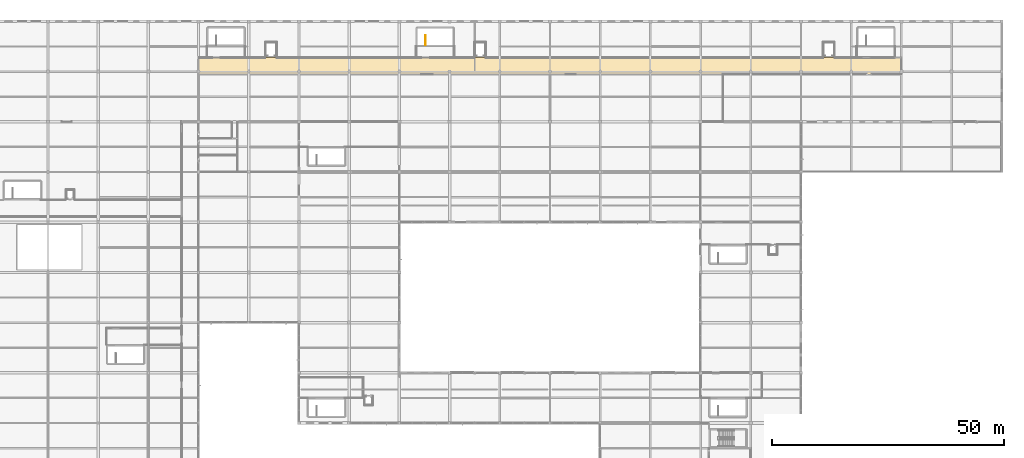
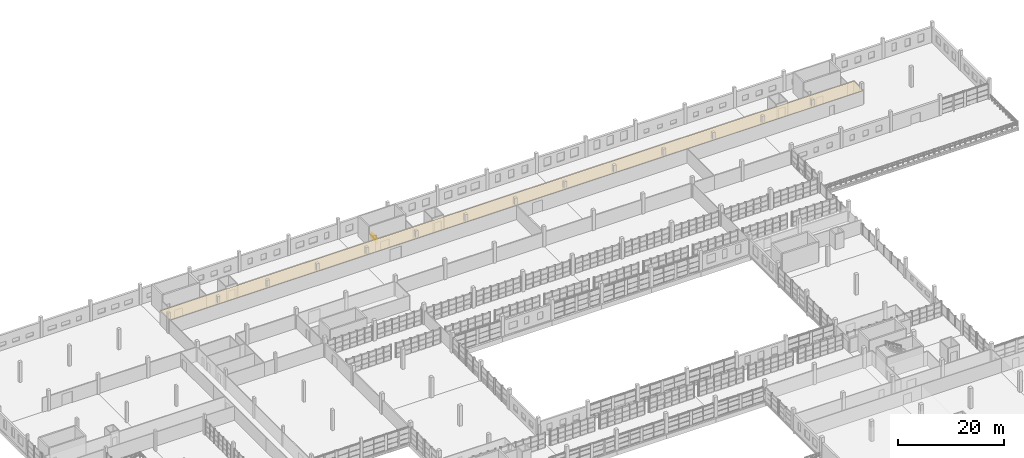
# One storey, part 136 of 142: 1 covering, 1 railing.
"""IFC4 building model written with IfcOpenShell, lengths in metres."""

from ifc_helpers import new_model, si_unit, direction, frame, origin, origin_2d, place, context, subcontext, project, spatial, polyline, circle, outline, extrude, material, layer, layer_set, type_object, element, save


model = new_model("IFC4")

# Units and contexts
model_context = context("Model", 3, precision=1e-05, world=origin(), true_north=direction((0.0, 1.0)))
body_context = subcontext(model_context, "Body", "Model", "MODEL_VIEW")
ifc_project = project(units=[si_unit("LENGTHUNIT", "METRE"), si_unit("AREAUNIT", "SQUARE_METRE"), si_unit("VOLUMEUNIT", "CUBIC_METRE"), si_unit("PLANEANGLEUNIT", "RADIAN"), si_unit("MASSUNIT", "GRAM", prefix="KILO")], contexts=[model_context])

# Site, building, storey
site_placement = place(None, origin())
site = spatial("IfcSite", under=ifc_project, at=site_placement, CompositionType="ELEMENT")
building_placement = place(site_placement, origin())
building = spatial("IfcBuilding", under=site, at=building_placement, Name="Zwinboog Wholesale Market", CompositionType="ELEMENT")
storey_placement = place(building_placement, frame((0.0, 0.0, 5.39990234375)))
storey = spatial("IfcBuildingStorey", under=building, at=storey_placement, Name="L01", CompositionType="ELEMENT", Elevation=5.39990234375)

# Railing
ifc_material_1 = material(Name="Steel S355", Category="steel")
railing_type = type_object("IfcRailingType", Name="RLT-INT-GUARD", PredefinedType="BALUSTRADE", material=ifc_material_1)
railing_placement = place(storey_placement, frame((92.02001953125, 126.639892578125, 0.0)))
element("IfcRailing", 1, at=railing_placement, inside=storey, type_object=railing_type, Name="GR-02 (RLG-ST-04-GTOP)", PredefinedType="BALUSTRADE", context=body_context, shape_type="SweptSolid", body=[
    extrude(circle(Radius=0.02392578125, at=origin_2d()), frame((0.0, 0.0, 1.09619140625), z_axis=(0.0, -1.0, 0.0), x_axis=(1.0, 0.0, 0.0)), (0.0, 0.0, 1.0), 2.099853515625),
    extrude(circle(Radius=0.02392578125, at=origin_2d()), frame((0.0, 0.0, 0.5361328125), z_axis=(0.0, -1.0, 0.0), x_axis=(1.0, 0.0, 0.0)), (0.0, 0.0, 1.0), 2.099853515625),
    extrude(circle(Radius=0.02099609375, at=origin_2d()), origin(), (0.0, 0.0, 1.0), 1.072021484375),
    extrude(circle(Radius=0.02099609375, at=origin_2d()), frame((0.0, -0.699951171875, 0.0)), (0.0, 0.0, 1.0), 1.072021484375),
    extrude(circle(Radius=0.02099609375, at=origin_2d()), frame((0.0, -1.39990234375, 0.0)), (0.0, 0.0, 1.0), 1.072021484375),
    extrude(circle(Radius=0.02099609375, at=origin_2d()), frame((0.0, -2.099853515625, 0.0)), (0.0, 0.0, 1.0), 1.072021484375),
])

# Covering
ifc_material_2 = material(Name="Hygienic washable acoustic gypsum ceiling")
ifc_layer = layer(ifc_material_2, 0.050048828125)
ifc_layer_set = layer_set([ifc_layer], Name="Hygienic washable acoustic gypsum ceiling")
covering_type = type_object("IfcCoveringType", Name="COV-CEIL-HYG", PredefinedType="CEILING", material=ifc_layer_set)
covering_placement = place(storey_placement, frame((0.0, 0.0, 3.130126953125)))
element("IfcCovering", 2, at=covering_placement, inside=storey, type_object=covering_type, Name="CL-02 (COV-CL-L01-026)", PredefinedType="CEILING", context=body_context, shape_type="SweptSolid", body=[
    extrude(outline(polyline([(43.199951171875, 118.199951171875), (194.39990234375, 118.199951171875), (194.39990234375, 121.800048828125), (43.199951171875, 121.800048828125), (43.199951171875, 118.199951171875)])), origin(), (0.0, 0.0, 1.0), 0.050048828125),
])

save(model, "model.ifc")
